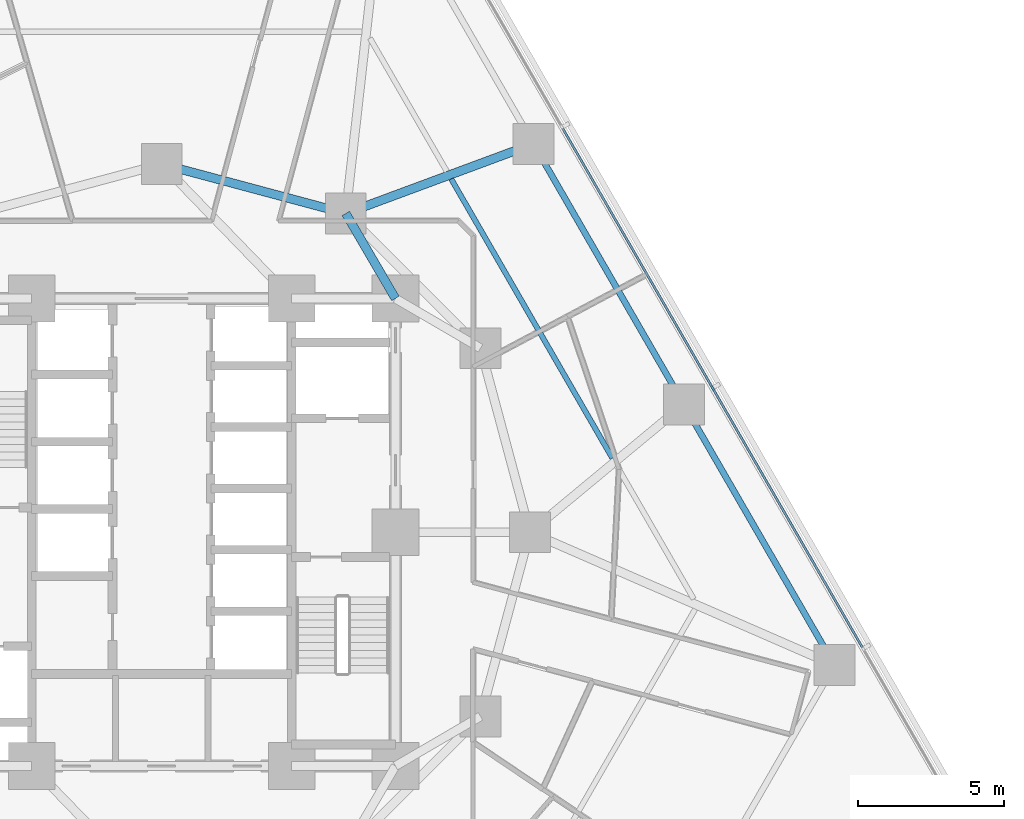
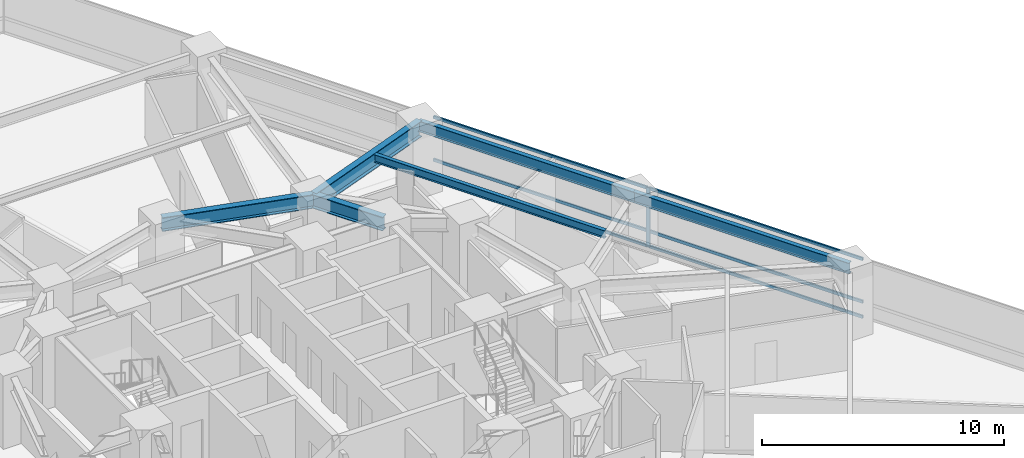
# One storey, part 5 of 16: 7 members, 6 beams, 1 element without a shape of its own.
"""IFC4 building model written with IfcOpenShell, lengths in metres."""

from ifc_helpers import new_model, si_unit, direction, frame, origin, origin_2d, place, context, subcontext, project, spatial, rectangle, i_section, extrude, material, layer, layer_set, material_profile, profile_set, type_object, element, aggregate, save


model = new_model("IFC4")

# Units and contexts
model_context = context("Model", 3, precision=1e-05, world=origin(), true_north=direction((0.0, 1.0)))
body_context = subcontext(model_context, "Body", "Model", "MODEL_VIEW")
ifc_project = project(units=[si_unit("LENGTHUNIT", "METRE"), si_unit("AREAUNIT", "SQUARE_METRE"), si_unit("VOLUMEUNIT", "CUBIC_METRE"), si_unit("PLANEANGLEUNIT", "RADIAN"), si_unit("MASSUNIT", "GRAM", prefix="KILO")], contexts=[model_context])

# Site, building, storey
site_placement = place(None, origin())
site = spatial("IfcSite", under=ifc_project, at=site_placement, CompositionType="ELEMENT")
building_placement = place(site_placement, origin())
building = spatial("IfcBuilding", under=site, at=building_placement, Name="Terralouvre Media Tower", CompositionType="ELEMENT")
storey_placement = place(building_placement, frame((0.0, 0.0, 44.5)))
storey = spatial("IfcBuildingStorey", under=building, at=storey_placement, Name="L10", CompositionType="ELEMENT", Elevation=44.5)

# Beam
ifc_material_1 = material(Name="Structural steel S355J2", Category="steel")
ifc_material_profile_1 = material_profile(ifc_material_1, i_section(OverallWidth=0.179931640625, OverallDepth=0.39990234375, WebThickness=0.008544921875, FlangeThickness=0.013427734375, at=origin_2d()), Name="IPE 400")
ifc_profile_set_1 = profile_set([ifc_material_profile_1], Name="Structural steel S355J2")
beam_type_1 = type_object("IfcBeamType", Name="Composite Floor Joist J-IPE400 (IPE 400)", PredefinedType="JOIST", material=ifc_profile_set_1)
beam_1_placement = place(storey_placement, frame((15.426025390625, 2.535400390625, 3.300048828125), z_axis=(-0.499996323086, 0.866027526641, 0.0), x_axis=(-0.866027526641, -0.499996323086, 0.0)))
element("IfcBeam", 1, at=beam_1_placement, inside=storey, type_object=beam_type_1, Name="L10 Framing Beam JT-L10-07", PredefinedType="JOIST", context=body_context, shape_type="SweptSolid", body=[
    extrude(i_section(OverallWidth=0.179931640625, OverallDepth=0.39990234375, WebThickness=0.008544921875, FlangeThickness=0.013427734375, at=origin_2d()), origin(), (0.0, 0.0, 1.0), 11.03466796875),
])

# Curtain wall, members
ifc_material_2 = material(Name="Low-iron laminated double glazing with solar-control coating", Category="glass")
ifc_layer = layer(ifc_material_2, 0.1650390625, Name="Lower Media Tower Unitised Curtain Wall CW-02")
ifc_layer_set = layer_set([ifc_layer], Name="Low-iron laminated double glazing with solar-control coating")
curtain_wall_type = type_object("IfcCurtainWallType", Name="Lower Media Tower Unitised Curtain Wall CW-02", PredefinedType="NOTDEFINED", material=ifc_layer_set)
curtain_wall_placement = place(storey_placement, origin())
curtain_wall = element("IfcCurtainWall", 2, at=curtain_wall_placement, inside=storey, type_object=curtain_wall_type, Name="L10 Facade Curtain Wall F1", PredefinedType="NOTDEFINED")
ifc_material_3 = material(Name="Anodised extruded aluminium 6063-T6", Category="aluminium")
ifc_material_profile_2 = material_profile(ifc_material_3, rectangle(XDim=0.074951171875, YDim=0.14990234375, at=origin_2d()), Name="ALU 75x150")
ifc_profile_set_2 = profile_set([ifc_material_profile_2], Name="Anodised extruded aluminium 6063-T6")
member_type_1 = type_object("IfcMemberType", Name="Curtain-Wall Horizontal Transom TR-150", PredefinedType="USERDEFINED", material=ifc_profile_set_2)
member_1_placement = place(storey_placement, frame((23.984619140625, -3.94921875, 0.03759765625), z_axis=(-0.499991148707, 0.866030514021, 0.0), x_axis=(-0.866030514021, -0.499991148707, 0.0)))
member_1 = element("IfcMember", 3, at=member_1_placement, type_object=member_type_1, Name="CW-02 transom 2.1", ObjectType="TRANSOM", PredefinedType="USERDEFINED", context=body_context, shape_type="SweptSolid", body=[
    extrude(rectangle(XDim=0.074951171875, YDim=0.14990234375, at=origin_2d()), origin(), (0.0, 0.0, 1.0), 10.224853515625),
])
member_2_placement = place(storey_placement, frame((23.984619140625, -3.94921875, 0.800048828125), z_axis=(-0.499991148707, 0.866030514021, 0.0), x_axis=(-0.866030514021, -0.499991148707, 0.0)))
member_2 = element("IfcMember", 4, at=member_2_placement, type_object=member_type_1, Name="CW-02 transom 2.2", ObjectType="TRANSOM", PredefinedType="USERDEFINED", context=body_context, shape_type="SweptSolid", body=[
    extrude(rectangle(XDim=0.074951171875, YDim=0.14990234375, at=origin_2d()), origin(), (0.0, 0.0, 1.0), 10.224853515625),
])
member_3_placement = place(storey_placement, frame((23.984619140625, -3.94921875, 2.96240234375), z_axis=(-0.499991148707, 0.866030514021, 0.0), x_axis=(-0.866030514021, -0.499991148707, 0.0)))
member_3 = element("IfcMember", 5, at=member_3_placement, type_object=member_type_1, Name="CW-02 transom 2.3", ObjectType="TRANSOM", PredefinedType="USERDEFINED", context=body_context, shape_type="SweptSolid", body=[
    extrude(rectangle(XDim=0.074951171875, YDim=0.14990234375, at=origin_2d()), origin(), (0.0, 0.0, 1.0), 10.224853515625),
])
member_4_placement = place(storey_placement, frame((18.834716796875, 4.970947265625, 0.03759765625), z_axis=(-0.50000905659, 0.866020174897, 0.0), x_axis=(-0.866020174897, -0.50000905659, 0.0)))
member_4 = element("IfcMember", 6, at=member_4_placement, type_object=member_type_1, Name="CW-02 transom 3.1", ObjectType="TRANSOM", PredefinedType="USERDEFINED", context=body_context, shape_type="SweptSolid", body=[
    extrude(rectangle(XDim=0.074951171875, YDim=0.14990234375, at=origin_2d()), origin(), (0.0, 0.0, 1.0), 10.224853515625),
])
member_5_placement = place(storey_placement, frame((18.834716796875, 4.970947265625, 0.800048828125), z_axis=(-0.50000905659, 0.866020174897, 0.0), x_axis=(-0.866020174897, -0.50000905659, 0.0)))
member_5 = element("IfcMember", 7, at=member_5_placement, type_object=member_type_1, Name="CW-02 transom 3.2", ObjectType="TRANSOM", PredefinedType="USERDEFINED", context=body_context, shape_type="SweptSolid", body=[
    extrude(rectangle(XDim=0.074951171875, YDim=0.14990234375, at=origin_2d()), origin(), (0.0, 0.0, 1.0), 10.224853515625),
])
member_6_placement = place(storey_placement, frame((18.834716796875, 4.970947265625, 2.96240234375), z_axis=(-0.50000905659, 0.866020174897, 0.0), x_axis=(-0.866020174897, -0.50000905659, 0.0)))
member_6 = element("IfcMember", 8, at=member_6_placement, type_object=member_type_1, Name="CW-02 transom 3.3", ObjectType="TRANSOM", PredefinedType="USERDEFINED", context=body_context, shape_type="SweptSolid", body=[
    extrude(rectangle(XDim=0.074951171875, YDim=0.14990234375, at=origin_2d()), origin(), (0.0, 0.0, 1.0), 10.224853515625),
])
ifc_material_4 = material(Name="Anodised extruded aluminium 6063-T6", Category="aluminium")
ifc_material_profile_3 = material_profile(ifc_material_4, rectangle(XDim=0.074951171875, YDim=0.179931640625, at=origin_2d()), Name="ALU 75x180")
ifc_profile_set_3 = profile_set([ifc_material_profile_3], Name="Anodised extruded aluminium 6063-T6")
member_type_2 = type_object("IfcMemberType", Name="Curtain-Wall Vertical Mullion ML-180", PredefinedType="MULLION", material=ifc_profile_set_3)
member_7_placement = place(storey_placement, frame((18.853515625, 4.938232421875, 0.0), z_axis=(0.0, 0.0, 1.0), x_axis=(-0.866025412057, -0.499999985671, 0.0)))
member_7 = element("IfcMember", 9, at=member_7_placement, type_object=member_type_2, Name="CW-02 mullion 3", PredefinedType="MULLION", context=body_context, shape_type="SweptSolid", body=[
    extrude(rectangle(XDim=0.074951171875, YDim=0.179931640625, at=origin_2d()), origin(), (0.0, 0.0, 1.0), 3.0),
])
aggregate(curtain_wall, [member_7, member_1, member_2, member_3, member_4, member_5, member_6])

# Beams
ifc_material_5 = material(Name="Structural steel S355J2", Category="steel")
ifc_material_profile_4 = material_profile(ifc_material_5, i_section(OverallWidth=0.2099609375, OverallDepth=0.550048828125, WebThickness=0.010986328125, FlangeThickness=0.01708984375, at=origin_2d()), Name="IPE 550")
ifc_profile_set_4 = profile_set([ifc_material_profile_4], Name="Structural steel S355J2")
beam_type_2 = type_object("IfcBeamType", Name="Perimeter Spandrel Beam SPB-550 (IPE 550)", PredefinedType="SPANDREL", material=ifc_profile_set_4)
for number, where, z_axis, x_axis, name in (
    (10, (23.02490234375, -4.546630859375, 3.22509765625), (-0.500016542852, 0.866015852554, 0.0), (-0.866015852554, -0.500016542852, 0.0), "L10 Framing Beam BM-L10-PR06"),
    (11, (17.874755859375, 4.373291015625, 3.22509765625), (-0.49998850195, 0.866032042085, 0.0), (-0.866032042085, -0.49998850195, 0.0), "L10 Framing Beam BM-L10-PR07"),
):
    element("IfcBeam", number, at=place(storey_placement, frame(where, z_axis=z_axis, x_axis=x_axis)), inside=storey, type_object=beam_type_2, Name=name, PredefinedType="SPANDREL", context=body_context, shape_type="SweptSolid", body=[
        extrude(i_section(OverallWidth=0.2099609375, OverallDepth=0.550048828125, WebThickness=0.010986328125, FlangeThickness=0.01708984375, at=origin_2d()), origin(), (0.0, 0.0, 1.0), 10.300048828125),
    ])
ifc_material_6 = material(Name="Structural steel S460M", Category="steel")
ifc_material_profile_5 = material_profile(ifc_material_6, i_section(OverallWidth=0.300048828125, OverallDepth=0.699951171875, WebThickness=0.01708984375, FlangeThickness=0.031982421875, at=origin_2d()), Name="HEB 700")
ifc_profile_set_5 = profile_set([ifc_material_profile_5], Name="Structural steel S460M")
beam_type_3 = type_object("IfcBeamType", Name="Primary Floor Girder B-HEB700 (HEB 700)", PredefinedType="BEAM", material=ifc_profile_set_5)
beam_2_placement = place(storey_placement, frame((6.300048828125, 10.911865234375, 3.14990234375), z_axis=(-0.965920481897, 0.258838989821, 0.0), x_axis=(-0.258838989821, -0.965920481897, 0.0)))
element("IfcBeam", 12, at=beam_2_placement, inside=storey, type_object=beam_type_3, Name="L10 Framing Beam BM-L10-MR08", PredefinedType="BEAM", context=body_context, shape_type="SweptSolid", body=[
    extrude(i_section(OverallWidth=0.300048828125, OverallDepth=0.699951171875, WebThickness=0.01708984375, FlangeThickness=0.031982421875, at=origin_2d()), origin(), (0.0, 0.0, 1.0), 6.522216796875),
])
beam_3_placement = place(storey_placement, frame((8.0, 8.0, 3.14990234375), z_axis=(-0.504172629717, 0.863602894532, 0.0), x_axis=(-0.863602894532, -0.504172629717, 0.0)))
element("IfcBeam", 13, at=beam_3_placement, inside=storey, type_object=beam_type_3, Name="L10 Framing Beam BM-L10-CM08", PredefinedType="BEAM", context=body_context, shape_type="SweptSolid", body=[
    extrude(i_section(OverallWidth=0.300048828125, OverallDepth=0.699951171875, WebThickness=0.01708984375, FlangeThickness=0.031982421875, at=origin_2d()), origin(), (0.0, 0.0, 1.0), 3.371826171875),
])
ifc_material_7 = material(Name="Structural steel S460M", Category="steel")
ifc_material_profile_6 = material_profile(ifc_material_7, i_section(OverallWidth=0.300048828125, OverallDepth=0.800048828125, WebThickness=0.017578125, FlangeThickness=0.032958984375, at=origin_2d()), Name="HEB 800")
ifc_profile_set_6 = profile_set([ifc_material_profile_6], Name="Structural steel S460M")
beam_type_4 = type_object("IfcBeamType", Name="Primary Floor Girder B-HEB800 (HEB 800)", PredefinedType="BEAM", material=ifc_profile_set_6)
beam_4_placement = place(storey_placement, frame((6.300048828125, 10.911865234375, 3.10009765625), z_axis=(0.937652019179, 0.347575446386, 0.0), x_axis=(-0.347575446386, 0.937652019179, 0.0)))
element("IfcBeam", 14, at=beam_4_placement, inside=storey, type_object=beam_type_4, Name="L10 Framing Beam BM-L10-RD08", PredefinedType="BEAM", context=body_context, shape_type="SweptSolid", body=[
    extrude(i_section(OverallWidth=0.300048828125, OverallDepth=0.800048828125, WebThickness=0.017578125, FlangeThickness=0.032958984375, at=origin_2d()), origin(), (0.0, 0.0, 1.0), 6.85205078125),
])

save(model, "model.ifc")
